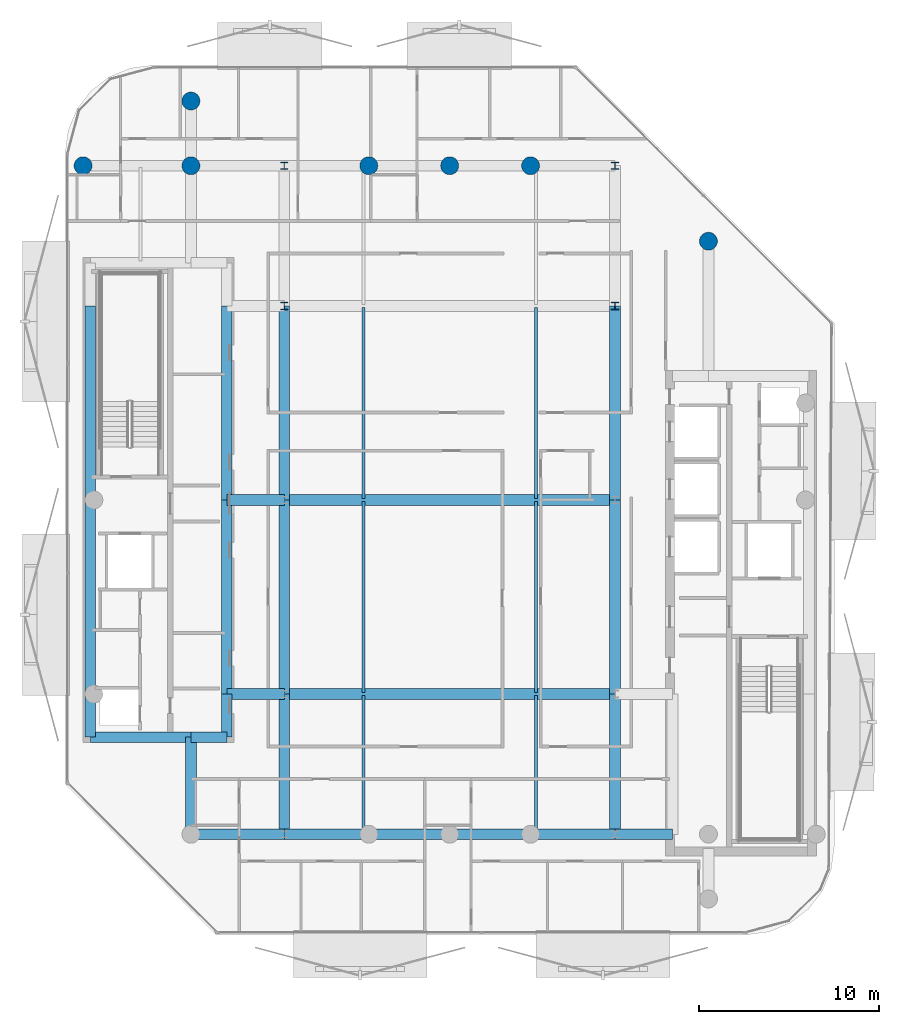
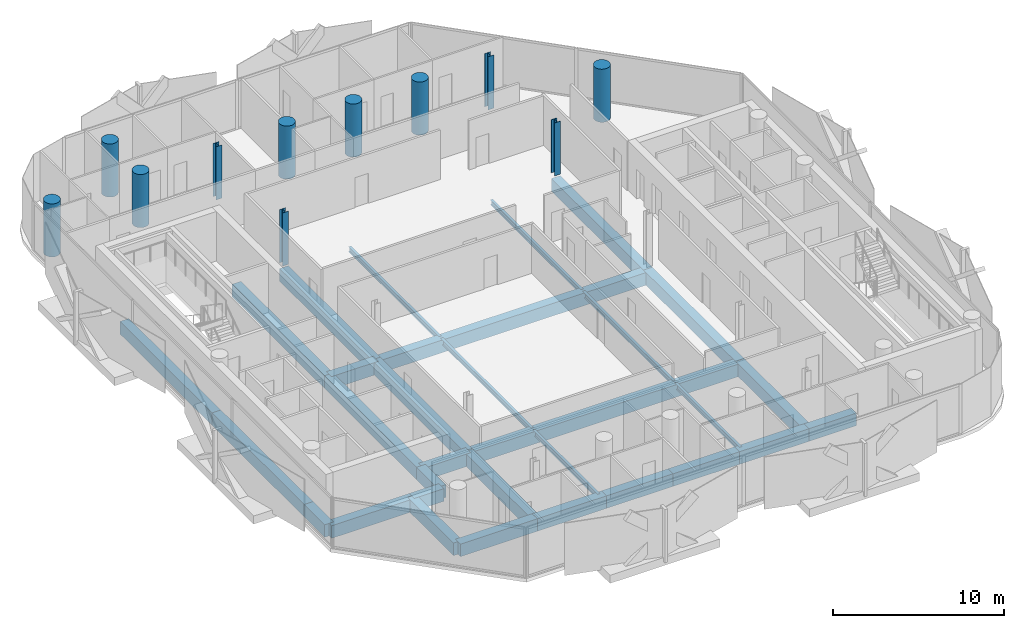
# One storey, part 2 of 17: 31 beams, 11 columns.
"""IFC4 building model written with IfcOpenShell, lengths in metres."""

from ifc_helpers import new_model, si_unit, direction, frame, origin, origin_2d, place, context, subcontext, project, spatial, rectangle, circle, i_section, extrude, material, material_profile, profile_set, type_object, element, save


model = new_model("IFC4")

# Units and contexts
model_context = context("Model", 3, precision=1e-05, world=origin(), true_north=direction((0.0, 1.0)))
body_context = subcontext(model_context, "Body", "Model", "MODEL_VIEW")
ifc_project = project(units=[si_unit("LENGTHUNIT", "METRE"), si_unit("AREAUNIT", "SQUARE_METRE"), si_unit("VOLUMEUNIT", "CUBIC_METRE"), si_unit("PLANEANGLEUNIT", "RADIAN"), si_unit("MASSUNIT", "GRAM", prefix="KILO")], contexts=[model_context])

# Site, building, storey
site_placement = place(None, origin())
site = spatial("IfcSite", under=ifc_project, at=site_placement, CompositionType="ELEMENT")
building_placement = place(site_placement, origin())
building = spatial("IfcBuilding", under=site, at=building_placement, Name="Khairoan Windgate Tower", CompositionType="ELEMENT")
storey_placement = place(building_placement, frame((0.0, 0.0, 304.199951171875)))
storey = spatial("IfcBuildingStorey", under=building, at=storey_placement, Name="L73", CompositionType="ELEMENT", Elevation=304.199951171875)

# Columns
ifc_material_1 = material(Name="Concrete C60/75", Category="concrete")
ifc_material_profile_1 = material_profile(ifc_material_1, circle(Radius=0.5, at=origin_2d()))
ifc_profile_set_1 = profile_set([ifc_material_profile_1], Name="Concrete C60/75")
column_type_1 = type_object("IfcColumnType", Name="Column C-P1 RC-D1000", PredefinedType="COLUMN", material=ifc_profile_set_1)
for number, where, z_axis, x_axis, name in (
    (1, (-20.39990234375, 18.60009765625, 0.0), (0.0, 0.0, 1.0), (1.0, 0.0, 0.0), "Column L73-11"),
    (2, (-14.39990234375, 18.60009765625, 0.0), (0.0, 0.0, 1.0), (1.0, 0.0, 0.0), "Column L73-14"),
    (3, (14.39990234375, 14.39990234375, 0.0), (0.0, 0.0, 1.0), (1.0, 0.0, 0.0), "Column L73-16"),
    (4, (-4.5, 18.60009765625, 0.0), (0.0, 0.0, 1.0), (1.0, 0.0, 0.0), "Column L73-20"),
    (5, (0.0, 18.60009765625, 0.0), (0.0, 0.0, 1.0), (1.0, 0.0, 0.0), "Column L73-21"),
    (6, (4.5, 18.60009765625, 0.0), (0.0, 0.0, 1.0), (1.0, 0.0, 0.0), "Column L73-22"),
    (7, (-14.39990234375, 22.199951171875, 0.0), (0.0, 0.0, 1.0), (1.0, 0.0, 0.0), "Column L73-27"),
):
    element("IfcColumn", number, at=place(storey_placement, frame(where, z_axis=z_axis, x_axis=x_axis)), inside=storey, type_object=column_type_1, Name=name, PredefinedType="COLUMN", context=body_context, shape_type="SweptSolid", body=[
        extrude(circle(Radius=0.5, at=origin_2d()), origin(), (0.0, 0.0, 1.0), 3.800048828125),
    ])
ifc_material_2 = material(Name="Steel S355", Category="steel")
ifc_material_profile_2 = material_profile(ifc_material_2, i_section(OverallWidth=0.39990234375, OverallDepth=0.39990234375, WebThickness=0.012939453125, FlangeThickness=0.02099609375, FilletRadius=0.02197265625, at=origin_2d()))
ifc_profile_set_2 = profile_set([ifc_material_profile_2], Name="Steel S355")
column_type_2 = type_object("IfcColumnType", Name="Steel Column SC4 H400x400x13x21", PredefinedType="COLUMN", material=ifc_profile_set_2)
for number, where, z_axis, x_axis, name in (
    (8, (-9.199951171875, 10.800048828125, 0.0), (0.0, 0.0, 1.0), (1.0, 0.0, 0.0), "Column L73-04"),
    (9, (-9.199951171875, 18.60009765625, 0.0), (0.0, 0.0, 1.0), (1.0, 0.0, 0.0), "Column L73-05"),
    (10, (9.199951171875, 10.800048828125, 0.0), (0.0, 0.0, 1.0), (1.0, 0.0, 0.0), "Column L73-09"),
    (11, (9.199951171875, 18.60009765625, 0.0), (0.0, 0.0, 1.0), (1.0, 0.0, 0.0), "Column L73-10"),
):
    element("IfcColumn", number, at=place(storey_placement, frame(where, z_axis=z_axis, x_axis=x_axis)), inside=storey, type_object=column_type_2, Name=name, PredefinedType="COLUMN", context=body_context, shape_type="SweptSolid", body=[
        extrude(i_section(OverallWidth=0.39990234375, OverallDepth=0.39990234375, WebThickness=0.012939453125, FlangeThickness=0.02099609375, FilletRadius=0.02197265625, at=origin_2d()), origin(), (0.0, 0.0, 1.0), 3.800048828125),
    ])

# Beams
ifc_material_3 = material(Name="Concrete C50/60", Category="concrete")
ifc_material_profile_3 = material_profile(ifc_material_3, rectangle(XDim=0.60009765625, YDim=0.89990234375, at=origin_2d()))
ifc_profile_set_3 = profile_set([ifc_material_profile_3], Name="Concrete C50/60")
beam_type_1 = type_object("IfcBeamType", Name="Beam B-RC1 RC600x900", PredefinedType="BEAM", material=ifc_profile_set_3)
beam_1_placement = place(storey_placement, frame((-14.39990234375, -18.60009765625, -0.7099609375), z_axis=(1.0, 0.0, 0.0), x_axis=(0.0, 1.0, 0.0)))
element("IfcBeam", 12, at=beam_1_placement, inside=storey, type_object=beam_type_1, Name="L73 E-W Primary Girder 01", PredefinedType="BEAM", context=body_context, shape_type="SweptSolid", body=[
    extrude(rectangle(XDim=0.60009765625, YDim=0.89990234375, at=origin_2d()), origin(), (0.0, 0.0, 1.0), 5.199951171875),
])
beam_2_placement = place(storey_placement, frame((-9.199951171875, -18.60009765625, -0.7099609375), z_axis=(1.0, 0.0, 0.0), x_axis=(0.0, 1.0, 0.0)))
element("IfcBeam", 13, at=beam_2_placement, inside=storey, type_object=beam_type_1, Name="L73 E-W Primary Girder 02", PredefinedType="BEAM", context=body_context, shape_type="SweptSolid", body=[
    extrude(rectangle(XDim=0.60009765625, YDim=0.89990234375, at=origin_2d()), origin(), (0.0, 0.0, 1.0), 4.699951171875),
])
for number, where, z_axis, x_axis, name in (
    (14, (-4.5, -18.60009765625, -0.7099609375), (1.0, 0.0, 0.0), (0.0, 1.0, 0.0), "L73 E-W Primary Girder 03"),
    (15, (0.0, -18.60009765625, -0.7099609375), (1.0, 0.0, 0.0), (0.0, 1.0, 0.0), "L73 E-W Primary Girder 04"),
):
    element("IfcBeam", number, at=place(storey_placement, frame(where, z_axis=z_axis, x_axis=x_axis)), inside=storey, type_object=beam_type_1, Name=name, PredefinedType="BEAM", context=body_context, shape_type="SweptSolid", body=[
        extrude(rectangle(XDim=0.60009765625, YDim=0.89990234375, at=origin_2d()), origin(), (0.0, 0.0, 1.0), 4.5),
    ])
beam_3_placement = place(storey_placement, frame((4.5, -18.60009765625, -0.7099609375), z_axis=(1.0, 0.0, 0.0), x_axis=(0.0, 1.0, 0.0)))
element("IfcBeam", 16, at=beam_3_placement, inside=storey, type_object=beam_type_1, Name="L73 E-W Primary Girder 05", PredefinedType="BEAM", context=body_context, shape_type="SweptSolid", body=[
    extrude(rectangle(XDim=0.60009765625, YDim=0.89990234375, at=origin_2d()), origin(), (0.0, 0.0, 1.0), 4.699951171875),
])
beam_4_placement = place(storey_placement, frame((9.199951171875, -18.60009765625, -0.7099609375), z_axis=(1.0, 0.0, 0.0), x_axis=(0.0, 1.0, 0.0)))
element("IfcBeam", 17, at=beam_4_placement, inside=storey, type_object=beam_type_1, Name="L73 E-W Primary Girder 06", PredefinedType="BEAM", context=body_context, shape_type="SweptSolid", body=[
    extrude(rectangle(XDim=0.60009765625, YDim=0.89990234375, at=origin_2d()), origin(), (0.0, 0.0, 1.0), 3.199951171875),
])
beam_5_placement = place(storey_placement, frame((-20.0, -13.199951171875, -0.7099609375), z_axis=(1.0, 0.0, 0.0), x_axis=(0.0, 1.0, 0.0)))
element("IfcBeam", 18, at=beam_5_placement, inside=storey, type_object=beam_type_1, Name="L73 E-W Primary Girder 07", PredefinedType="BEAM", context=body_context, shape_type="SweptSolid", body=[
    extrude(rectangle(XDim=0.60009765625, YDim=0.89990234375, at=origin_2d()), origin(), (0.0, 0.0, 1.0), 5.60009765625),
])
beam_6_placement = place(storey_placement, frame((-14.39990234375, -13.199951171875, -0.7099609375), z_axis=(1.0, 0.0, 0.0), x_axis=(0.0, 1.0, 0.0)))
element("IfcBeam", 19, at=beam_6_placement, inside=storey, type_object=beam_type_1, Name="L73 E-W Primary Girder 08", PredefinedType="BEAM", context=body_context, shape_type="SweptSolid", body=[
    extrude(rectangle(XDim=0.60009765625, YDim=0.89990234375, at=origin_2d()), origin(), (0.0, 0.0, 1.0), 2.0),
])
beam_7_placement = place(storey_placement, frame((-12.39990234375, -10.800048828125, -0.7099609375), z_axis=(1.0, 0.0, 0.0), x_axis=(0.0, 1.0, 0.0)))
element("IfcBeam", 20, at=beam_7_placement, inside=storey, type_object=beam_type_1, Name="L73 E-W Primary Girder 09", PredefinedType="BEAM", context=body_context, shape_type="SweptSolid", body=[
    extrude(rectangle(XDim=0.60009765625, YDim=0.89990234375, at=origin_2d()), origin(), (0.0, 0.0, 1.0), 3.199951171875),
])
beam_8_placement = place(storey_placement, frame((-9.199951171875, -10.800048828125, -0.7099609375), z_axis=(1.0, 0.0, 0.0), x_axis=(0.0, 1.0, 0.0)))
element("IfcBeam", 21, at=beam_8_placement, inside=storey, type_object=beam_type_1, Name="L73 E-W Primary Girder 10", PredefinedType="BEAM", context=body_context, shape_type="SweptSolid", body=[
    extrude(rectangle(XDim=0.60009765625, YDim=0.89990234375, at=origin_2d()), origin(), (0.0, 0.0, 1.0), 18.39990234375),
])
beam_9_placement = place(storey_placement, frame((-12.39990234375, 0.0, -0.7099609375), z_axis=(1.0, 0.0, 0.0), x_axis=(0.0, 1.0, 0.0)))
element("IfcBeam", 22, at=beam_9_placement, inside=storey, type_object=beam_type_1, Name="L73 E-W Primary Girder 12", PredefinedType="BEAM", context=body_context, shape_type="SweptSolid", body=[
    extrude(rectangle(XDim=0.60009765625, YDim=0.89990234375, at=origin_2d()), origin(), (0.0, 0.0, 1.0), 3.199951171875),
])
beam_10_placement = place(storey_placement, frame((-9.199951171875, 0.0, -0.7099609375), z_axis=(1.0, 0.0, 0.0), x_axis=(0.0, 1.0, 0.0)))
element("IfcBeam", 23, at=beam_10_placement, inside=storey, type_object=beam_type_1, Name="L73 E-W Primary Girder 13", PredefinedType="BEAM", context=body_context, shape_type="SweptSolid", body=[
    extrude(rectangle(XDim=0.60009765625, YDim=0.89990234375, at=origin_2d()), origin(), (0.0, 0.0, 1.0), 18.39990234375),
])
beam_11_placement = place(storey_placement, frame((-20.0, -13.199951171875, -0.7099609375), z_axis=(0.0, 1.0, 0.0), x_axis=(-1.0, 0.0, 0.0)))
element("IfcBeam", 24, at=beam_11_placement, inside=storey, type_object=beam_type_1, Name="L73 N-S Primary Beam 26", PredefinedType="BEAM", context=body_context, shape_type="SweptSolid", body=[
    extrude(rectangle(XDim=0.60009765625, YDim=0.89990234375, at=origin_2d()), origin(), (0.0, 0.0, 1.0), 2.39990234375),
])
for number, where, z_axis, x_axis, name in (
    (25, (-20.0, -10.800048828125, -0.7099609375), (0.0, 1.0, 0.0), (-1.0, 0.0, 0.0), "L73 N-S Primary Beam 27"),
    (26, (-20.0, 0.0, -0.7099609375), (0.0, 1.0, 0.0), (-1.0, 0.0, 0.0), "L73 N-S Primary Beam 28"),
):
    element("IfcBeam", number, at=place(storey_placement, frame(where, z_axis=z_axis, x_axis=x_axis)), inside=storey, type_object=beam_type_1, Name=name, PredefinedType="BEAM", context=body_context, shape_type="SweptSolid", body=[
        extrude(rectangle(XDim=0.60009765625, YDim=0.89990234375, at=origin_2d()), origin(), (0.0, 0.0, 1.0), 10.800048828125),
    ])
beam_12_placement = place(storey_placement, frame((-14.39990234375, -18.60009765625, -0.7099609375), z_axis=(0.0, 1.0, 0.0), x_axis=(-1.0, 0.0, 0.0)))
element("IfcBeam", 27, at=beam_12_placement, inside=storey, type_object=beam_type_1, Name="L73 N-S Primary Beam 30", PredefinedType="BEAM", context=body_context, shape_type="SweptSolid", body=[
    extrude(rectangle(XDim=0.60009765625, YDim=0.89990234375, at=origin_2d()), origin(), (0.0, 0.0, 1.0), 5.400146484375),
])
beam_13_placement = place(storey_placement, frame((-12.39990234375, -13.199951171875, -0.7099609375), z_axis=(0.0, 1.0, 0.0), x_axis=(-1.0, 0.0, 0.0)))
element("IfcBeam", 28, at=beam_13_placement, inside=storey, type_object=beam_type_1, Name="L73 N-S Primary Beam 33", PredefinedType="BEAM", context=body_context, shape_type="SweptSolid", body=[
    extrude(rectangle(XDim=0.60009765625, YDim=0.89990234375, at=origin_2d()), origin(), (0.0, 0.0, 1.0), 2.39990234375),
])
for number, where, z_axis, x_axis, name in (
    (29, (-12.39990234375, -10.800048828125, -0.7099609375), (0.0, 1.0, 0.0), (-1.0, 0.0, 0.0), "L73 N-S Primary Beam 34"),
    (30, (-12.39990234375, 0.0, -0.7099609375), (0.0, 1.0, 0.0), (-1.0, 0.0, 0.0), "L73 N-S Primary Beam 35"),
):
    element("IfcBeam", number, at=place(storey_placement, frame(where, z_axis=z_axis, x_axis=x_axis)), inside=storey, type_object=beam_type_1, Name=name, PredefinedType="BEAM", context=body_context, shape_type="SweptSolid", body=[
        extrude(rectangle(XDim=0.60009765625, YDim=0.89990234375, at=origin_2d()), origin(), (0.0, 0.0, 1.0), 10.800048828125),
    ])
beam_14_placement = place(storey_placement, frame((-9.199951171875, -18.60009765625, -0.7099609375), z_axis=(0.0, 1.0, 0.0), x_axis=(-1.0, 0.0, 0.0)))
element("IfcBeam", 31, at=beam_14_placement, inside=storey, type_object=beam_type_1, Name="L73 N-S Primary Beam 37", PredefinedType="BEAM", context=body_context, shape_type="SweptSolid", body=[
    extrude(rectangle(XDim=0.60009765625, YDim=0.89990234375, at=origin_2d()), origin(), (0.0, 0.0, 1.0), 7.800048828125),
])
for number, where, z_axis, x_axis, name in (
    (32, (-9.199951171875, -10.800048828125, -0.7099609375), (0.0, 1.0, 0.0), (-1.0, 0.0, 0.0), "L73 N-S Primary Beam 38"),
    (33, (-9.199951171875, 0.0, -0.7099609375), (0.0, 1.0, 0.0), (-1.0, 0.0, 0.0), "L73 N-S Primary Beam 39"),
):
    element("IfcBeam", number, at=place(storey_placement, frame(where, z_axis=z_axis, x_axis=x_axis)), inside=storey, type_object=beam_type_1, Name=name, PredefinedType="BEAM", context=body_context, shape_type="SweptSolid", body=[
        extrude(rectangle(XDim=0.60009765625, YDim=0.89990234375, at=origin_2d()), origin(), (0.0, 0.0, 1.0), 10.800048828125),
    ])
beam_15_placement = place(storey_placement, frame((9.199951171875, -18.60009765625, -0.7099609375), z_axis=(0.0, 1.0, 0.0), x_axis=(-1.0, 0.0, 0.0)))
element("IfcBeam", 34, at=beam_15_placement, inside=storey, type_object=beam_type_1, Name="L73 N-S Primary Beam 41", PredefinedType="BEAM", context=body_context, shape_type="SweptSolid", body=[
    extrude(rectangle(XDim=0.60009765625, YDim=0.89990234375, at=origin_2d()), origin(), (0.0, 0.0, 1.0), 7.800048828125),
])
for number, where, z_axis, x_axis, name in (
    (35, (9.199951171875, -10.800048828125, -0.7099609375), (0.0, 1.0, 0.0), (-1.0, 0.0, 0.0), "L73 N-S Primary Beam 42"),
    (36, (9.199951171875, 0.0, -0.7099609375), (0.0, 1.0, 0.0), (-1.0, 0.0, 0.0), "L73 N-S Primary Beam 43"),
):
    element("IfcBeam", number, at=place(storey_placement, frame(where, z_axis=z_axis, x_axis=x_axis)), inside=storey, type_object=beam_type_1, Name=name, PredefinedType="BEAM", context=body_context, shape_type="SweptSolid", body=[
        extrude(rectangle(XDim=0.60009765625, YDim=0.89990234375, at=origin_2d()), origin(), (0.0, 0.0, 1.0), 10.800048828125),
    ])
ifc_material_4 = material(Name="Steel S355", Category="steel")
ifc_material_profile_4 = material_profile(ifc_material_4, i_section(OverallWidth=0.175048828125, OverallDepth=0.35009765625, WebThickness=0.007080078125, FlangeThickness=0.010986328125, FilletRadius=0.013916015625, at=origin_2d()))
ifc_profile_set_4 = profile_set([ifc_material_profile_4], Name="Steel S355")
beam_type_2 = type_object("IfcBeamType", Name="Beam J-S5 H350x175x7x11", PredefinedType="JOIST", material=ifc_profile_set_4)
beam_16_placement = place(storey_placement, frame((-4.800048828125, -18.510009765625, -0.43505859375), z_axis=(0.0, 1.0, 0.0), x_axis=(-1.0, 0.0, 0.0)))
element("IfcBeam", 37, at=beam_16_placement, inside=storey, type_object=beam_type_2, Name="L73 Secondary Floor Joist 02", PredefinedType="JOIST", context=body_context, shape_type="SweptSolid", body=[
    extrude(i_section(OverallWidth=0.175048828125, OverallDepth=0.35009765625, WebThickness=0.007080078125, FlangeThickness=0.010986328125, FilletRadius=0.013916015625, at=origin_2d()), origin(), (0.0, 0.0, 1.0), 7.6201171875),
])
for number, where, z_axis, x_axis, name in (
    (38, (-4.800048828125, -10.7099609375, -0.43505859375), (0.0, 1.0, 0.0), (-1.0, 0.0, 0.0), "L73 Secondary Floor Joist 03"),
    (39, (-4.800048828125, 0.090087890625, -0.43505859375), (0.0, 1.0, 0.0), (-1.0, 0.0, 0.0), "L73 Secondary Floor Joist 04"),
):
    element("IfcBeam", number, at=place(storey_placement, frame(where, z_axis=z_axis, x_axis=x_axis)), inside=storey, type_object=beam_type_2, Name=name, PredefinedType="JOIST", context=body_context, shape_type="SweptSolid", body=[
        extrude(i_section(OverallWidth=0.175048828125, OverallDepth=0.35009765625, WebThickness=0.007080078125, FlangeThickness=0.010986328125, FilletRadius=0.013916015625, at=origin_2d()), origin(), (0.0, 0.0, 1.0), 10.619873046875),
    ])
beam_17_placement = place(storey_placement, frame((4.800048828125, -18.510009765625, -0.43505859375), z_axis=(0.0, 1.0, 0.0), x_axis=(-1.0, 0.0, 0.0)))
element("IfcBeam", 40, at=beam_17_placement, inside=storey, type_object=beam_type_2, Name="L73 Secondary Floor Joist 06", PredefinedType="JOIST", context=body_context, shape_type="SweptSolid", body=[
    extrude(i_section(OverallWidth=0.175048828125, OverallDepth=0.35009765625, WebThickness=0.007080078125, FlangeThickness=0.010986328125, FilletRadius=0.013916015625, at=origin_2d()), origin(), (0.0, 0.0, 1.0), 7.6201171875),
])
for number, where, z_axis, x_axis, name in (
    (41, (4.800048828125, -10.7099609375, -0.43505859375), (0.0, 1.0, 0.0), (-1.0, 0.0, 0.0), "L73 Secondary Floor Joist 07"),
    (42, (4.800048828125, 0.090087890625, -0.43505859375), (0.0, 1.0, 0.0), (-1.0, 0.0, 0.0), "L73 Secondary Floor Joist 08"),
):
    element("IfcBeam", number, at=place(storey_placement, frame(where, z_axis=z_axis, x_axis=x_axis)), inside=storey, type_object=beam_type_2, Name=name, PredefinedType="JOIST", context=body_context, shape_type="SweptSolid", body=[
        extrude(i_section(OverallWidth=0.175048828125, OverallDepth=0.35009765625, WebThickness=0.007080078125, FlangeThickness=0.010986328125, FilletRadius=0.013916015625, at=origin_2d()), origin(), (0.0, 0.0, 1.0), 10.619873046875),
    ])

save(model, "model.ifc")
